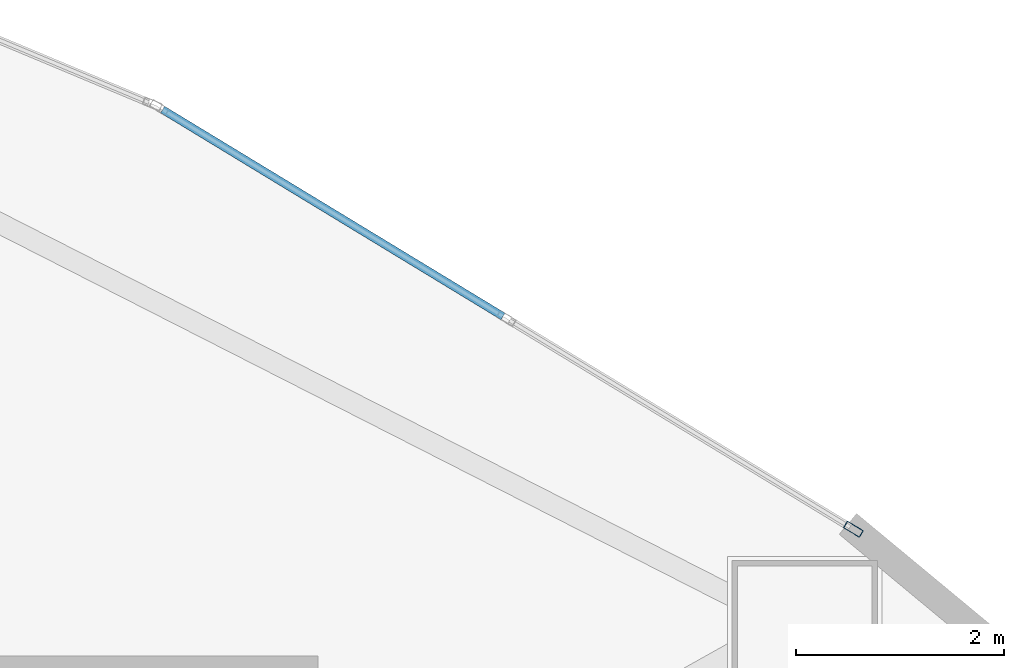
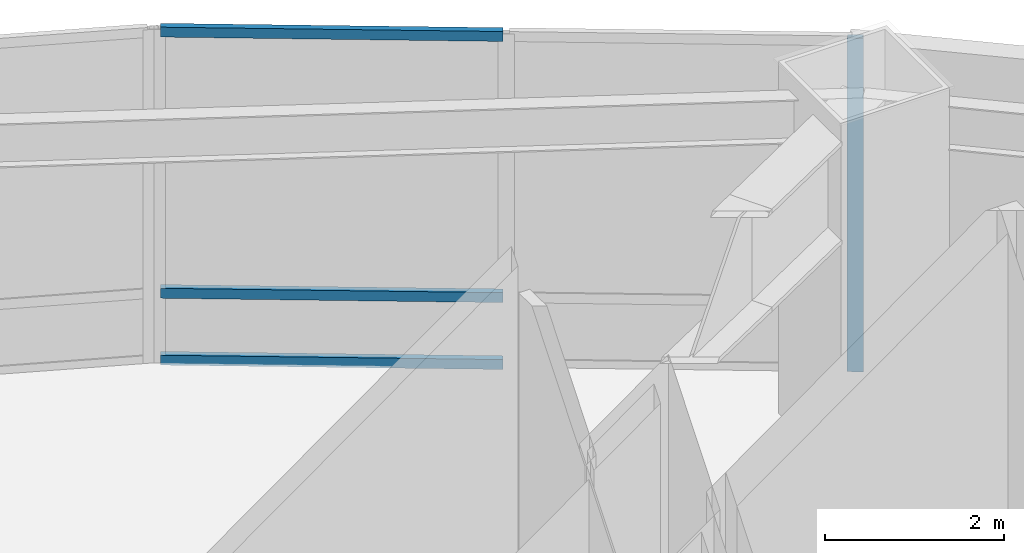
# One storey, part 12 of 19: 4 members, 1 element without a shape of its own.
"""IFC4 building model written with IfcOpenShell, lengths in metres."""

from ifc_helpers import new_model, si_unit, direction, frame, origin, origin_2d, place, context, subcontext, project, spatial, hollow_rectangle, extrude, material, layer, layer_set, material_profile, profile_set, type_object, element, aggregate, save


model = new_model("IFC4")

# Units and contexts
model_context = context("Model", 3, precision=1e-05, world=origin(), true_north=direction((0.0, 1.0)))
body_context = subcontext(model_context, "Body", "Model", "MODEL_VIEW")
ifc_project = project(units=[si_unit("LENGTHUNIT", "METRE"), si_unit("AREAUNIT", "SQUARE_METRE"), si_unit("VOLUMEUNIT", "CUBIC_METRE"), si_unit("PLANEANGLEUNIT", "RADIAN"), si_unit("MASSUNIT", "GRAM", prefix="KILO")], contexts=[model_context])

# Site, building, storey
site_placement = place(None, origin())
site = spatial("IfcSite", under=ifc_project, at=site_placement, CompositionType="ELEMENT")
building_placement = place(site_placement, origin())
building = spatial("IfcBuilding", under=site, at=building_placement, Name="Menara Vayukalpa", CompositionType="ELEMENT")
storey_placement = place(building_placement, frame((0.0, 0.0, 22.800048828125)))
storey = spatial("IfcBuildingStorey", under=building, at=storey_placement, Name="L04", CompositionType="ELEMENT", Elevation=22.800048828125)

# Curtain wall, members
ifc_material_1 = material(Name="Anodised Terracotta Aluminium Alloy 6063-T6", Category="masonry")
ifc_layer = layer(ifc_material_1, 0.179931640625)
ifc_layer_set = layer_set([ifc_layer], Name="Anodised Terracotta Aluminium Alloy 6063-T6")
curtain_wall_type = type_object("IfcCurtainWallType", Name="CW-CW1", PredefinedType="USERDEFINED", material=ifc_layer_set)
curtain_wall_placement = place(storey_placement, origin())
curtain_wall = element("IfcCurtainWall", 1, at=curtain_wall_placement, inside=storey, type_object=curtain_wall_type, Name="L04 Podium Unitised Ribbon Curtain Wall CW1 04", ObjectType="UNITISED", PredefinedType="USERDEFINED")
ifc_material_2 = material(Name="Anodised Terracotta Aluminium Alloy 6063-T6", Category="masonry")
ifc_material_profile_1 = material_profile(ifc_material_2, hollow_rectangle(XDim=0.074951171875, YDim=0.179931640625, WallThickness=0.00390625, at=origin_2d()), Name="ALU 75x180x4")
ifc_profile_set_1 = profile_set([ifc_material_profile_1], Name="Anodised Terracotta Aluminium Alloy 6063-T6")
member_type_1 = type_object("IfcMemberType", Name="CWM-CW1", PredefinedType="MULLION", material=ifc_profile_set_1)
member_1_placement = place(storey_placement, frame((37.941162109375, 30.070556640625, 0.0), z_axis=(0.0, 0.0, 1.0), x_axis=(-0.519179879231, -0.854664994604, 0.0)))
member_1 = element("IfcMember", 2, at=member_1_placement, type_object=member_type_1, Name="CW1 mullion 1", PredefinedType="MULLION", context=body_context, shape_type="SweptSolid", body=[
    extrude(hollow_rectangle(XDim=0.074951171875, YDim=0.179931640625, WallThickness=0.00390625, at=origin_2d()), origin(), (0.0, 0.0, 1.0), 4.550048828125),
])
ifc_material_3 = material(Name="Anodised Terracotta Aluminium Alloy 6063-T6", Category="masonry")
ifc_material_profile_2 = material_profile(ifc_material_3, hollow_rectangle(XDim=0.074951171875, YDim=0.135009765625, WallThickness=0.00390625, at=origin_2d()), Name="ALU 75x135x4")
ifc_profile_set_2 = profile_set([ifc_material_profile_2], Name="Anodised Terracotta Aluminium Alloy 6063-T6")
member_type_2 = type_object("IfcMemberType", Name="CWT-CW1", PredefinedType="USERDEFINED", material=ifc_profile_set_2)
member_2_placement = place(storey_placement, frame((34.5751953125, 32.115234375, 0.037353515625), z_axis=(-0.85465908819, 0.519189602144, 0.0), x_axis=(-0.519189602144, -0.85465908819, 0.0)))
member_2 = element("IfcMember", 3, at=member_2_placement, type_object=member_type_2, Name="CW1 transom 2.1", ObjectType="TRANSOM", PredefinedType="USERDEFINED", context=body_context, shape_type="SweptSolid", body=[
    extrude(hollow_rectangle(XDim=0.074951171875, YDim=0.135009765625, WallThickness=0.00390625, at=origin_2d()), origin(), (0.0, 0.0, 1.0), 3.825927734375),
])
member_3_placement = place(storey_placement, frame((34.5751953125, 32.115234375, 0.949951171875), z_axis=(-0.85465908819, 0.519189602144, 0.0), x_axis=(-0.519189602144, -0.85465908819, 0.0)))
member_3 = element("IfcMember", 4, at=member_3_placement, type_object=member_type_2, Name="CW1 transom 2.2", ObjectType="TRANSOM", PredefinedType="USERDEFINED", context=body_context, shape_type="SweptSolid", body=[
    extrude(hollow_rectangle(XDim=0.074951171875, YDim=0.135009765625, WallThickness=0.00390625, at=origin_2d()), origin(), (0.0, 0.0, 1.0), 3.825927734375),
])
member_4_placement = place(storey_placement, frame((34.5751953125, 32.115234375, 4.512451171875), z_axis=(-0.85465908819, 0.519189602144, 0.0), x_axis=(-0.519189602144, -0.85465908819, 0.0)))
member_4 = element("IfcMember", 5, at=member_4_placement, type_object=member_type_2, Name="CW1 transom 2.3", ObjectType="TRANSOM", PredefinedType="USERDEFINED", context=body_context, shape_type="SweptSolid", body=[
    extrude(hollow_rectangle(XDim=0.074951171875, YDim=0.135009765625, WallThickness=0.00390625, at=origin_2d()), origin(), (0.0, 0.0, 1.0), 3.825927734375),
])
aggregate(curtain_wall, [member_1, member_2, member_3, member_4])

save(model, "model.ifc")
